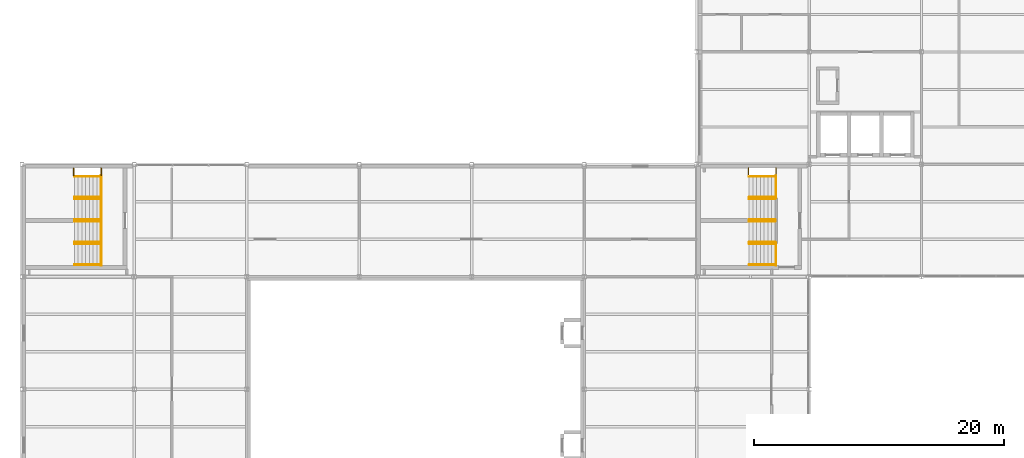
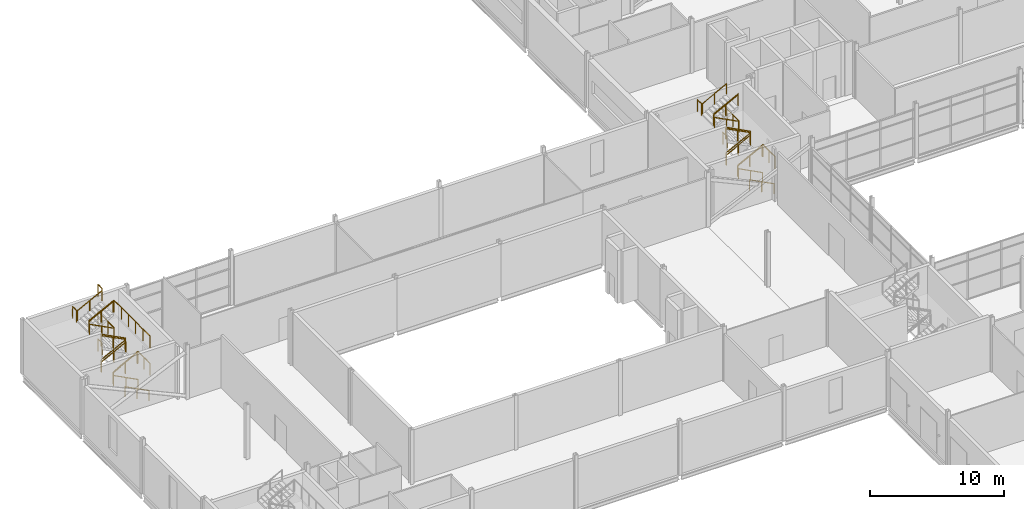
# One storey, part 109 of 112: 36 railings.
"""IFC4 building model written with IfcOpenShell, lengths in metres."""

from ifc_helpers import new_model, si_unit, direction, frame, origin, origin_2d, place, context, subcontext, project, spatial, circle, extrude, material, type_object, element, save


model = new_model("IFC4")

# Units and contexts
model_context = context("Model", 3, precision=1e-05, world=origin(), true_north=direction((0.0, 1.0)))
body_context = subcontext(model_context, "Body", "Model", "MODEL_VIEW")
ifc_project = project(units=[si_unit("LENGTHUNIT", "METRE"), si_unit("AREAUNIT", "SQUARE_METRE"), si_unit("VOLUMEUNIT", "CUBIC_METRE"), si_unit("PLANEANGLEUNIT", "RADIAN"), si_unit("MASSUNIT", "GRAM", prefix="KILO")], contexts=[model_context])

# Site, building, storey
site_placement = place(None, origin())
site = spatial("IfcSite", under=ifc_project, at=site_placement, CompositionType="ELEMENT")
building_placement = place(site_placement, origin())
building = spatial("IfcBuilding", under=site, at=building_placement, Name="Shorebreak Coast Museum", CompositionType="ELEMENT")
storey_placement = place(building_placement, frame((0.0, 0.0, 6.0)))
storey = spatial("IfcBuildingStorey", under=building, at=storey_placement, Name="L01", CompositionType="ELEMENT", Elevation=6.0)

# Railings
ifc_material_1 = material(Name="Steel Grade 300", Category="steel")
railing_type_1 = type_object("IfcRailingType", Name="Stair guard 1100", PredefinedType="GUARDRAIL", material=ifc_material_1)
for number, where, name in (
    (1, (60.35009765625, 81.89990234375, 2.5), "Guard ST03 L01 landing mid1"),
    (2, (60.35009765625, 87.300048828125, 2.5), "Guard ST03 L01 landing mid1"),
):
    element("IfcRailing", number, at=place(storey_placement, frame(where)), inside=storey, type_object=railing_type_1, Name=name, PredefinedType="GUARDRAIL", context=body_context, shape_type="SweptSolid", body=[
        extrude(circle(Radius=0.02490234375, at=origin_2d()), frame((0.0, 0.0, 1.0751953125), z_axis=(0.0, 1.0, 0.0), x_axis=(-1.0, 0.0, 0.0)), (0.0, 0.0, 1.0), 1.800048828125),
        extrude(circle(Radius=0.02001953125, at=origin_2d()), origin(), (0.0, 0.0, 1.0), 1.050048828125),
        extrude(circle(Radius=0.02001953125, at=origin_2d()), frame((0.0, 0.89990234375, 0.0)), (0.0, 0.0, 1.0), 1.050048828125),
        extrude(circle(Radius=0.02001953125, at=origin_2d()), frame((0.0, 1.800048828125, 0.0)), (0.0, 0.0, 1.0), 1.050048828125),
    ])
for number, where, name in (
    (3, (60.35009765625, 89.10009765625, 0.0), "Guard ST03 L01 landing strip"),
    (4, (60.35009765625, 89.10009765625, 2.5), "Guard ST03 L01 landing strip"),
    (5, (58.14990234375, 89.10009765625, 3.75), "Guard ST03 L01 landing strip"),
):
    element("IfcRailing", number, at=place(storey_placement, frame(where)), inside=storey, type_object=railing_type_1, Name=name, PredefinedType="GUARDRAIL", context=body_context, shape_type="SweptSolid", body=[
        extrude(circle(Radius=0.02490234375, at=origin_2d()), frame((0.0, 0.0, 1.0751953125), z_axis=(0.0, 1.0, 0.0), x_axis=(-1.0, 0.0, 0.0)), (0.0, 0.0, 1.0), 0.599853515625),
        extrude(circle(Radius=0.02001953125, at=origin_2d()), origin(), (0.0, 0.0, 1.0), 1.050048828125),
        extrude(circle(Radius=0.02001953125, at=origin_2d()), frame((0.0, 0.599853515625, 0.0)), (0.0, 0.0, 1.0), 1.050048828125),
    ])
for number, where, name in (
    (6, (58.199951171875, 83.699951171875, 1.40625), "Guard ST03-L01 well 1"),
    (7, (58.199951171875, 87.300048828125, 3.90625), "Guard ST03-L01 well 2"),
    (8, (58.199951171875, 85.5, 1.40625), "Guard ST03-L01 side 1"),
):
    element("IfcRailing", number, at=place(storey_placement, frame(where)), inside=storey, type_object=railing_type_1, Name=name, PredefinedType="GUARDRAIL", context=body_context, shape_type="SweptSolid", body=[
        extrude(circle(Radius=0.02490234375, at=origin_2d()), frame((0.0, 0.0, 1.0751953125), z_axis=(0.8869228845, 0.0, 0.461917521804), x_axis=(0.0, 1.0, 0.0)), (0.0, 0.0, 1.0), 2.367919921875),
        extrude(circle(Radius=0.02001953125, at=origin_2d()), origin(), (0.0, 0.0, 1.0), 1.050048828125),
        extrude(circle(Radius=0.02001953125, at=origin_2d()), frame((1.050048828125, 0.0, 0.546875)), (0.0, 0.0, 1.0), 1.050048828125),
        extrude(circle(Radius=0.02001953125, at=origin_2d()), frame((2.10009765625, 0.0, 1.09375)), (0.0, 0.0, 1.0), 1.050048828125),
    ])
railing_1_placement = place(storey_placement, frame((60.300048828125, 85.5, 2.65625)))
element("IfcRailing", 9, at=railing_1_placement, inside=storey, type_object=railing_type_1, Name="Guard ST03-L01 side 2", PredefinedType="GUARDRAIL", context=body_context, shape_type="SweptSolid", body=[
    extrude(circle(Radius=0.02490234375, at=origin_2d()), frame((0.0, 0.0, 1.0751953125), z_axis=(-0.8869228845, 0.0, 0.461917521804), x_axis=(0.0, -1.0, 0.0)), (0.0, 0.0, 1.0), 2.367919921875),
    extrude(circle(Radius=0.02001953125, at=origin_2d()), origin(), (0.0, 0.0, 1.0), 1.050048828125),
    extrude(circle(Radius=0.02001953125, at=origin_2d()), frame((-1.050048828125, 0.0, 0.546875)), (0.0, 0.0, 1.0), 1.050048828125),
    extrude(circle(Radius=0.02001953125, at=origin_2d()), frame((-2.10009765625, 0.0, 1.09375)), (0.0, 0.0, 1.0), 1.050048828125),
])
for number, where, name in (
    (10, (6.35009765625, 81.89990234375, 2.5), "Guard ST06 L01 landing mid1"),
    (11, (6.35009765625, 87.300048828125, 2.5), "Guard ST06 L01 landing mid1"),
):
    element("IfcRailing", number, at=place(storey_placement, frame(where)), inside=storey, type_object=railing_type_1, Name=name, PredefinedType="GUARDRAIL", context=body_context, shape_type="SweptSolid", body=[
        extrude(circle(Radius=0.02490234375, at=origin_2d()), frame((0.0, 0.0, 1.0751953125), z_axis=(0.0, 1.0, 0.0), x_axis=(-1.0, 0.0, 0.0)), (0.0, 0.0, 1.0), 1.800048828125),
        extrude(circle(Radius=0.02001953125, at=origin_2d()), origin(), (0.0, 0.0, 1.0), 1.050048828125),
        extrude(circle(Radius=0.02001953125, at=origin_2d()), frame((0.0, 0.89990234375, 0.0)), (0.0, 0.0, 1.0), 1.050048828125),
        extrude(circle(Radius=0.02001953125, at=origin_2d()), frame((0.0, 1.800048828125, 0.0)), (0.0, 0.0, 1.0), 1.050048828125),
    ])
railing_2_placement = place(storey_placement, frame((6.35009765625, 81.89990234375, 5.0)))
element("IfcRailing", 12, at=railing_2_placement, inside=storey, type_object=railing_type_1, Name="Guard ST06 L01 landing top", PredefinedType="GUARDRAIL", context=body_context, shape_type="SweptSolid", body=[
    extrude(circle(Radius=0.02490234375, at=origin_2d()), frame((0.0, 0.0, 1.0751953125), z_axis=(0.0, 1.0, 0.0), x_axis=(-1.0, 0.0, 0.0)), (0.0, 0.0, 1.0), 5.400146484375),
    extrude(circle(Radius=0.02001953125, at=origin_2d()), origin(), (0.0, 0.0, 1.0), 1.050048828125),
    extrude(circle(Radius=0.02001953125, at=origin_2d()), frame((0.0, 1.080078125, 0.0)), (0.0, 0.0, 1.0), 1.050048828125),
    extrude(circle(Radius=0.02001953125, at=origin_2d()), frame((0.0, 2.16015625, 0.0)), (0.0, 0.0, 1.0), 1.050048828125),
    extrude(circle(Radius=0.02001953125, at=origin_2d()), frame((0.0, 3.239990234375, 0.0)), (0.0, 0.0, 1.0), 1.050048828125),
    extrude(circle(Radius=0.02001953125, at=origin_2d()), frame((0.0, 4.320068359375, 0.0)), (0.0, 0.0, 1.0), 1.050048828125),
    extrude(circle(Radius=0.02001953125, at=origin_2d()), frame((0.0, 5.400146484375, 0.0)), (0.0, 0.0, 1.0), 1.050048828125),
])
for number, where, name in (
    (13, (6.35009765625, 89.10009765625, 0.0), "Guard ST06 L01 landing strip"),
    (14, (6.35009765625, 89.10009765625, 2.5), "Guard ST06 L01 landing strip"),
    (15, (4.14990234375, 89.10009765625, 3.75), "Guard ST06 L01 landing strip"),
    (16, (6.35009765625, 89.10009765625, 5.0), "Guard ST06 L01 landing strip"),
):
    element("IfcRailing", number, at=place(storey_placement, frame(where)), inside=storey, type_object=railing_type_1, Name=name, PredefinedType="GUARDRAIL", context=body_context, shape_type="SweptSolid", body=[
        extrude(circle(Radius=0.02490234375, at=origin_2d()), frame((0.0, 0.0, 1.0751953125), z_axis=(0.0, 1.0, 0.0), x_axis=(-1.0, 0.0, 0.0)), (0.0, 0.0, 1.0), 0.599853515625),
        extrude(circle(Radius=0.02001953125, at=origin_2d()), origin(), (0.0, 0.0, 1.0), 1.050048828125),
        extrude(circle(Radius=0.02001953125, at=origin_2d()), frame((0.0, 0.599853515625, 0.0)), (0.0, 0.0, 1.0), 1.050048828125),
    ])
for number, where, name in (
    (17, (4.199951171875, 83.699951171875, 1.40625), "Guard ST06-L01 well 1"),
    (18, (4.199951171875, 87.300048828125, 3.90625), "Guard ST06-L01 well 2"),
    (19, (4.199951171875, 85.5, 1.40625), "Guard ST06-L01 side 1"),
):
    element("IfcRailing", number, at=place(storey_placement, frame(where)), inside=storey, type_object=railing_type_1, Name=name, PredefinedType="GUARDRAIL", context=body_context, shape_type="SweptSolid", body=[
        extrude(circle(Radius=0.02490234375, at=origin_2d()), frame((0.0, 0.0, 1.0751953125), z_axis=(0.8869228845, 0.0, 0.461917521804), x_axis=(0.0, 1.0, 0.0)), (0.0, 0.0, 1.0), 2.367919921875),
        extrude(circle(Radius=0.02001953125, at=origin_2d()), origin(), (0.0, 0.0, 1.0), 1.050048828125),
        extrude(circle(Radius=0.02001953125, at=origin_2d()), frame((1.050048828125, 0.0, 0.546875)), (0.0, 0.0, 1.0), 1.050048828125),
        extrude(circle(Radius=0.02001953125, at=origin_2d()), frame((2.10009765625, 0.0, 1.09375)), (0.0, 0.0, 1.0), 1.050048828125),
    ])
railing_3_placement = place(storey_placement, frame((6.300048828125, 85.5, 2.65625)))
element("IfcRailing", 20, at=railing_3_placement, inside=storey, type_object=railing_type_1, Name="Guard ST06-L01 side 2", PredefinedType="GUARDRAIL", context=body_context, shape_type="SweptSolid", body=[
    extrude(circle(Radius=0.02490234375, at=origin_2d()), frame((0.0, 0.0, 1.0751953125), z_axis=(-0.8869228845, 0.0, 0.461917521804), x_axis=(0.0, -1.0, 0.0)), (0.0, 0.0, 1.0), 2.367919921875),
    extrude(circle(Radius=0.02001953125, at=origin_2d()), origin(), (0.0, 0.0, 1.0), 1.050048828125),
    extrude(circle(Radius=0.02001953125, at=origin_2d()), frame((-1.050048828125, 0.0, 0.546875)), (0.0, 0.0, 1.0), 1.050048828125),
    extrude(circle(Radius=0.02001953125, at=origin_2d()), frame((-2.10009765625, 0.0, 1.09375)), (0.0, 0.0, 1.0), 1.050048828125),
])
ifc_material_2 = material(Name="Steel Grade 300", Category="steel")
railing_type_2 = type_object("IfcRailingType", Name="Stair handrail 950", PredefinedType="HANDRAIL", material=ifc_material_2)
for number, where, name in (
    (21, (60.300048828125, 81.9599609375, 0.15625), "Handrail ST03-L01 flight 1a"),
    (22, (60.300048828125, 83.639892578125, 0.15625), "Handrail ST03-L01 flight 1b"),
):
    element("IfcRailing", number, at=place(storey_placement, frame(where)), inside=storey, type_object=railing_type_2, Name=name, PredefinedType="HANDRAIL", context=body_context, shape_type="SweptSolid", body=[
        extrude(circle(Radius=0.02490234375, at=origin_2d()), frame((0.0, 0.0, 0.9248046875), z_axis=(-0.8869228845, 0.0, 0.461917521804), x_axis=(0.0, -1.0, 0.0)), (0.0, 0.0, 1.0), 2.367919921875),
        extrude(circle(Radius=0.02001953125, at=origin_2d()), origin(), (0.0, 0.0, 1.0), 0.89990234375),
        extrude(circle(Radius=0.02001953125, at=origin_2d()), frame((-1.050048828125, 0.0, 0.546875)), (0.0, 0.0, 1.0), 0.89990234375),
        extrude(circle(Radius=0.02001953125, at=origin_2d()), frame((-2.10009765625, 0.0, 1.09375)), (0.0, 0.0, 1.0), 0.89990234375),
    ])
for number, where, name in (
    (23, (58.199951171875, 83.760009765625, 1.40625), "Handrail ST03-L01 flight 2a"),
    (24, (58.199951171875, 85.43994140625, 1.40625), "Handrail ST03-L01 flight 2b"),
):
    element("IfcRailing", number, at=place(storey_placement, frame(where)), inside=storey, type_object=railing_type_2, Name=name, PredefinedType="HANDRAIL", context=body_context, shape_type="SweptSolid", body=[
        extrude(circle(Radius=0.02490234375, at=origin_2d()), frame((0.0, 0.0, 0.9248046875), z_axis=(0.8869228845, 0.0, 0.461917521804), x_axis=(0.0, 1.0, 0.0)), (0.0, 0.0, 1.0), 2.367919921875),
        extrude(circle(Radius=0.02001953125, at=origin_2d()), origin(), (0.0, 0.0, 1.0), 0.89990234375),
        extrude(circle(Radius=0.02001953125, at=origin_2d()), frame((1.050048828125, 0.0, 0.546875)), (0.0, 0.0, 1.0), 0.89990234375),
        extrude(circle(Radius=0.02001953125, at=origin_2d()), frame((2.10009765625, 0.0, 1.09375)), (0.0, 0.0, 1.0), 0.89990234375),
    ])
for number, where, name in (
    (25, (60.300048828125, 85.56005859375, 2.65625), "Handrail ST03-L01 flight 3a"),
    (26, (60.300048828125, 87.239990234375, 2.65625), "Handrail ST03-L01 flight 3b"),
):
    element("IfcRailing", number, at=place(storey_placement, frame(where)), inside=storey, type_object=railing_type_2, Name=name, PredefinedType="HANDRAIL", context=body_context, shape_type="SweptSolid", body=[
        extrude(circle(Radius=0.02490234375, at=origin_2d()), frame((0.0, 0.0, 0.9248046875), z_axis=(-0.8869228845, 0.0, 0.461917521804), x_axis=(0.0, -1.0, 0.0)), (0.0, 0.0, 1.0), 2.367919921875),
        extrude(circle(Radius=0.02001953125, at=origin_2d()), origin(), (0.0, 0.0, 1.0), 0.89990234375),
        extrude(circle(Radius=0.02001953125, at=origin_2d()), frame((-1.050048828125, 0.0, 0.546875)), (0.0, 0.0, 1.0), 0.89990234375),
        extrude(circle(Radius=0.02001953125, at=origin_2d()), frame((-2.10009765625, 0.0, 1.09375)), (0.0, 0.0, 1.0), 0.89990234375),
    ])
for number, where, name in (
    (27, (58.199951171875, 87.360107421875, 3.90625), "Handrail ST03-L01 flight 4a"),
    (28, (58.199951171875, 89.0400390625, 3.90625), "Handrail ST03-L01 flight 4b"),
):
    element("IfcRailing", number, at=place(storey_placement, frame(where)), inside=storey, type_object=railing_type_2, Name=name, PredefinedType="HANDRAIL", context=body_context, shape_type="SweptSolid", body=[
        extrude(circle(Radius=0.02490234375, at=origin_2d()), frame((0.0, 0.0, 0.9248046875), z_axis=(0.8869228845, 0.0, 0.461917521804), x_axis=(0.0, 1.0, 0.0)), (0.0, 0.0, 1.0), 2.367919921875),
        extrude(circle(Radius=0.02001953125, at=origin_2d()), origin(), (0.0, 0.0, 1.0), 0.89990234375),
        extrude(circle(Radius=0.02001953125, at=origin_2d()), frame((1.050048828125, 0.0, 0.546875)), (0.0, 0.0, 1.0), 0.89990234375),
        extrude(circle(Radius=0.02001953125, at=origin_2d()), frame((2.10009765625, 0.0, 1.09375)), (0.0, 0.0, 1.0), 0.89990234375),
    ])
for number, where, name in (
    (29, (6.300048828125, 81.9599609375, 0.15625), "Handrail ST06-L01 flight 1a"),
    (30, (6.300048828125, 83.639892578125, 0.15625), "Handrail ST06-L01 flight 1b"),
):
    element("IfcRailing", number, at=place(storey_placement, frame(where)), inside=storey, type_object=railing_type_2, Name=name, PredefinedType="HANDRAIL", context=body_context, shape_type="SweptSolid", body=[
        extrude(circle(Radius=0.02490234375, at=origin_2d()), frame((0.0, 0.0, 0.9248046875), z_axis=(-0.8869228845, 0.0, 0.461917521804), x_axis=(0.0, -1.0, 0.0)), (0.0, 0.0, 1.0), 2.367919921875),
        extrude(circle(Radius=0.02001953125, at=origin_2d()), origin(), (0.0, 0.0, 1.0), 0.89990234375),
        extrude(circle(Radius=0.02001953125, at=origin_2d()), frame((-1.050048828125, 0.0, 0.546875)), (0.0, 0.0, 1.0), 0.89990234375),
        extrude(circle(Radius=0.02001953125, at=origin_2d()), frame((-2.10009765625, 0.0, 1.09375)), (0.0, 0.0, 1.0), 0.89990234375),
    ])
for number, where, name in (
    (31, (4.199951171875, 83.760009765625, 1.40625), "Handrail ST06-L01 flight 2a"),
    (32, (4.199951171875, 85.43994140625, 1.40625), "Handrail ST06-L01 flight 2b"),
):
    element("IfcRailing", number, at=place(storey_placement, frame(where)), inside=storey, type_object=railing_type_2, Name=name, PredefinedType="HANDRAIL", context=body_context, shape_type="SweptSolid", body=[
        extrude(circle(Radius=0.02490234375, at=origin_2d()), frame((0.0, 0.0, 0.9248046875), z_axis=(0.8869228845, 0.0, 0.461917521804), x_axis=(0.0, 1.0, 0.0)), (0.0, 0.0, 1.0), 2.367919921875),
        extrude(circle(Radius=0.02001953125, at=origin_2d()), origin(), (0.0, 0.0, 1.0), 0.89990234375),
        extrude(circle(Radius=0.02001953125, at=origin_2d()), frame((1.050048828125, 0.0, 0.546875)), (0.0, 0.0, 1.0), 0.89990234375),
        extrude(circle(Radius=0.02001953125, at=origin_2d()), frame((2.10009765625, 0.0, 1.09375)), (0.0, 0.0, 1.0), 0.89990234375),
    ])
for number, where, name in (
    (33, (6.300048828125, 85.56005859375, 2.65625), "Handrail ST06-L01 flight 3a"),
    (34, (6.300048828125, 87.239990234375, 2.65625), "Handrail ST06-L01 flight 3b"),
):
    element("IfcRailing", number, at=place(storey_placement, frame(where)), inside=storey, type_object=railing_type_2, Name=name, PredefinedType="HANDRAIL", context=body_context, shape_type="SweptSolid", body=[
        extrude(circle(Radius=0.02490234375, at=origin_2d()), frame((0.0, 0.0, 0.9248046875), z_axis=(-0.8869228845, 0.0, 0.461917521804), x_axis=(0.0, -1.0, 0.0)), (0.0, 0.0, 1.0), 2.367919921875),
        extrude(circle(Radius=0.02001953125, at=origin_2d()), origin(), (0.0, 0.0, 1.0), 0.89990234375),
        extrude(circle(Radius=0.02001953125, at=origin_2d()), frame((-1.050048828125, 0.0, 0.546875)), (0.0, 0.0, 1.0), 0.89990234375),
        extrude(circle(Radius=0.02001953125, at=origin_2d()), frame((-2.10009765625, 0.0, 1.09375)), (0.0, 0.0, 1.0), 0.89990234375),
    ])
for number, where, name in (
    (35, (4.199951171875, 87.360107421875, 3.90625), "Handrail ST06-L01 flight 4a"),
    (36, (4.199951171875, 89.0400390625, 3.90625), "Handrail ST06-L01 flight 4b"),
):
    element("IfcRailing", number, at=place(storey_placement, frame(where)), inside=storey, type_object=railing_type_2, Name=name, PredefinedType="HANDRAIL", context=body_context, shape_type="SweptSolid", body=[
        extrude(circle(Radius=0.02490234375, at=origin_2d()), frame((0.0, 0.0, 0.9248046875), z_axis=(0.8869228845, 0.0, 0.461917521804), x_axis=(0.0, 1.0, 0.0)), (0.0, 0.0, 1.0), 2.367919921875),
        extrude(circle(Radius=0.02001953125, at=origin_2d()), origin(), (0.0, 0.0, 1.0), 0.89990234375),
        extrude(circle(Radius=0.02001953125, at=origin_2d()), frame((1.050048828125, 0.0, 0.546875)), (0.0, 0.0, 1.0), 0.89990234375),
        extrude(circle(Radius=0.02001953125, at=origin_2d()), frame((2.10009765625, 0.0, 1.09375)), (0.0, 0.0, 1.0), 0.89990234375),
    ])

save(model, "model.ifc")
